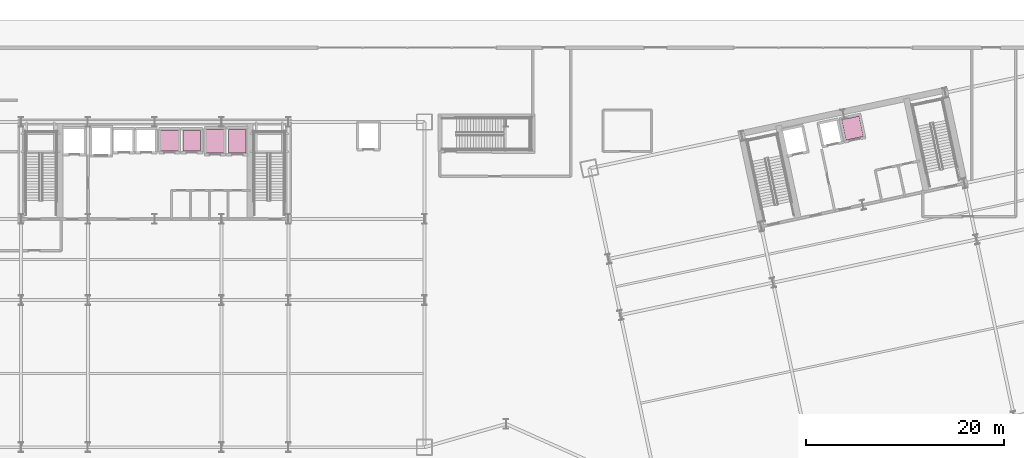
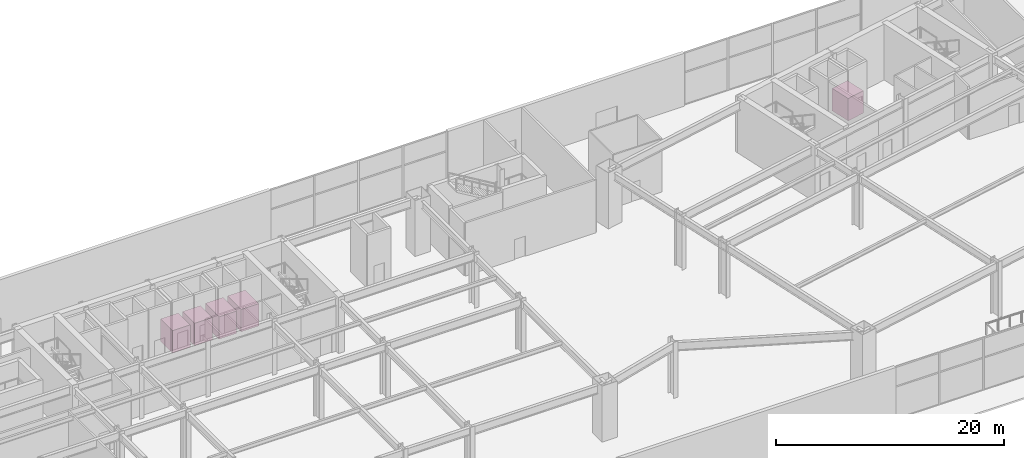
# One storey, part 30 of 30: 5 transport elements.
"""IFC4 building model written with IfcOpenShell, lengths in metres."""

from ifc_helpers import new_model, si_unit, direction, frame, origin, origin_2d, place, context, subcontext, project, spatial, rectangle, extrude, material, type_object, element, save


model = new_model("IFC4")

# Units and contexts
model_context = context("Model", 3, precision=1e-05, world=origin(), true_north=direction((0.0, 1.0)))
body_context = subcontext(model_context, "Body", "Model", "MODEL_VIEW")
ifc_project = project(units=[si_unit("LENGTHUNIT", "METRE"), si_unit("AREAUNIT", "SQUARE_METRE"), si_unit("VOLUMEUNIT", "CUBIC_METRE"), si_unit("PLANEANGLEUNIT", "RADIAN"), si_unit("MASSUNIT", "GRAM", prefix="KILO")], contexts=[model_context])

# Site, building, storey
site_placement = place(None, origin())
site = spatial("IfcSite", under=ifc_project, at=site_placement, CompositionType="ELEMENT")
building_placement = place(site_placement, origin())
building = spatial("IfcBuilding", under=site, at=building_placement, Name="Haevon Station Towers", CompositionType="ELEMENT")
storey_placement = place(building_placement, origin())
storey = spatial("IfcBuildingStorey", under=building, at=storey_placement, Name="L00", CompositionType="ELEMENT", Elevation=0.0)

# Transport elements
ifc_material = material(Name="Stainless steel cabin assembly", Category="steel")
transport_element_type_1 = type_object("IfcTransportElementType", Name="LFT-PAX1821", PredefinedType="ELEVATOR", material=ifc_material)
for number, where, z_axis, x_axis, name in (
    (1, (39.0, 46.10009765625, 0.0), (0.0, 0.0, 1.0), (1.0, 0.0, 0.0), "Tower 1 Mid-Rise Passenger Lift PL3"),
    (2, (41.25, 46.10009765625, 0.0), (0.0, 0.0, 1.0), (1.0, 0.0, 0.0), "Tower 1 Mid-Rise Passenger Lift PL4"),
    (3, (107.988037109375, 47.3798828125, 0.0), (0.0, 0.0, 1.0), (0.978147600734, 0.207911690818, 0.0), "Tower 2 Mid-Rise Passenger Lift PL8"),
):
    element("IfcTransportElement", number, at=place(storey_placement, frame(where, z_axis=z_axis, x_axis=x_axis)), inside=storey, type_object=transport_element_type_1, Name=name, PredefinedType="ELEVATOR", context=body_context, shape_type="SweptSolid", body=[
        extrude(rectangle(XDim=1.800048828125, YDim=2.10009765625, at=origin_2d()), origin(), (0.0, 0.0, 1.0), 2.39990234375),
    ])
transport_element_type_2 = type_object("IfcTransportElementType", Name="LFT-PAX1824", PredefinedType="ELEVATOR", material=ifc_material)
for number, where, z_axis, x_axis, name in (
    (4, (43.60009765625, 46.050048828125, 0.0), (0.0, 0.0, 1.0), (1.0, 0.0, 0.0), "Tower 1 High-Rise Passenger Lift PL5"),
    (5, (45.85009765625, 46.050048828125, 0.0), (0.0, 0.0, 1.0), (1.0, 0.0, 0.0), "Tower 1 High-Rise Passenger Lift PL6"),
):
    element("IfcTransportElement", number, at=place(storey_placement, frame(where, z_axis=z_axis, x_axis=x_axis)), inside=storey, type_object=transport_element_type_2, Name=name, PredefinedType="ELEVATOR", context=body_context, shape_type="SweptSolid", body=[
        extrude(rectangle(XDim=1.800048828125, YDim=2.39990234375, at=origin_2d()), origin(), (0.0, 0.0, 1.0), 2.39990234375),
    ])

save(model, "model.ifc")
